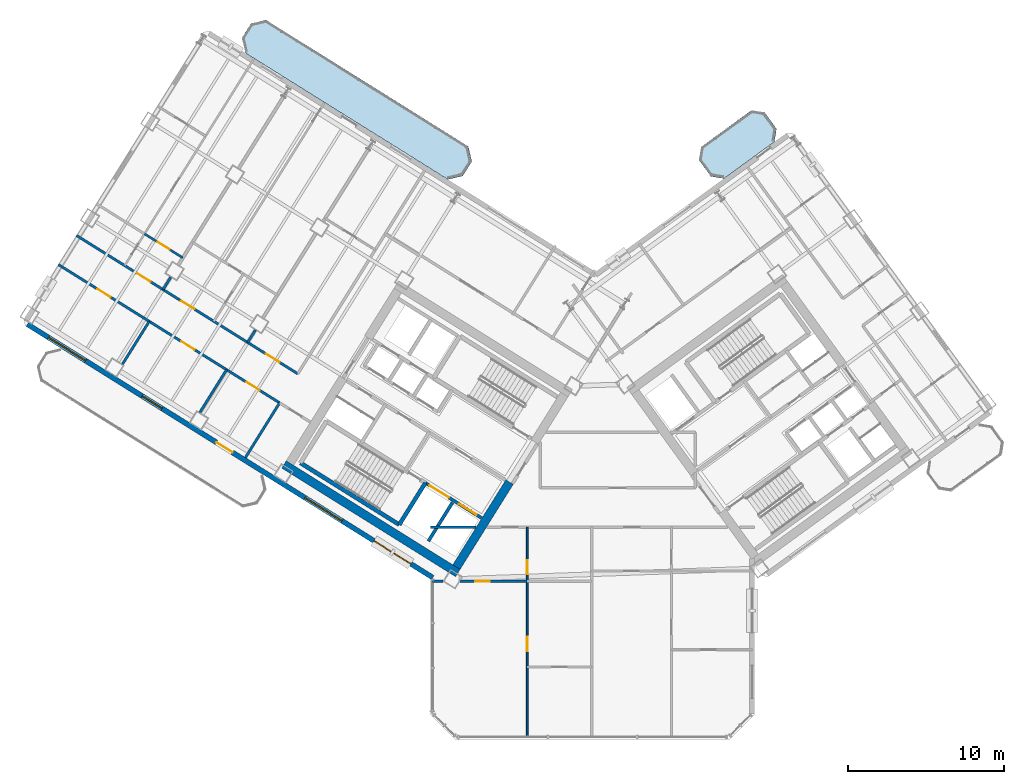
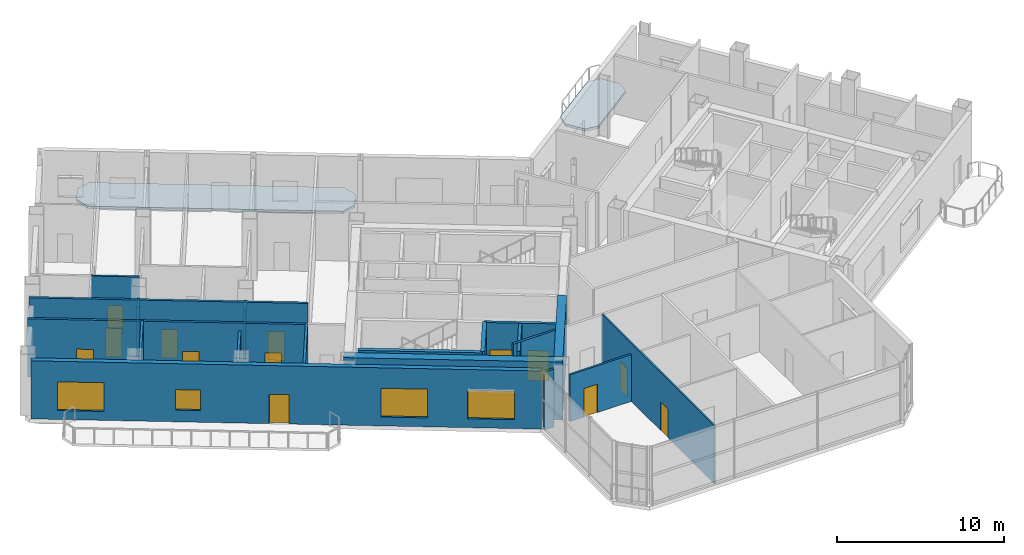
# One storey, part 11 of 21: 19 walls, 13 doors, 4 windows, 2 slabs, 17 openings.
"""IFC4 building model written with IfcOpenShell, lengths in metres."""

from ifc_helpers import new_model, si_unit, direction, frame, frame_2d, origin, place, context, subcontext, project, spatial, polyline, rectangle, outline, extrude, source, transform, mapped, material, layer, layer_set, type_object, element, fill, save


model = new_model("IFC4")

# Units and contexts
model_context = context("Model", 3, precision=1e-05, world=origin(), true_north=direction((0.0, 1.0)))
body_context = subcontext(model_context, "Body", "Model", "MODEL_VIEW")
ifc_project = project(units=[si_unit("LENGTHUNIT", "METRE"), si_unit("AREAUNIT", "SQUARE_METRE"), si_unit("VOLUMEUNIT", "CUBIC_METRE"), si_unit("PLANEANGLEUNIT", "RADIAN"), si_unit("MASSUNIT", "GRAM", prefix="KILO")], contexts=[model_context])

# Site, building, storey
site_placement = place(None, origin())
site = spatial("IfcSite", under=ifc_project, at=site_placement, CompositionType="ELEMENT")
building_placement = place(site_placement, origin())
building = spatial("IfcBuilding", under=site, at=building_placement, Name="Tlacorven Tower", CompositionType="ELEMENT")
storey_placement = place(building_placement, frame((0.0, 0.0, 100.800048828125)))
storey = spatial("IfcBuildingStorey", under=building, at=storey_placement, Name="L25", CompositionType="ELEMENT", Elevation=100.800048828125)

# Slabs
ifc_material_1 = material(Name="Precast concrete C45/55", Category="concrete")
ifc_layer_1 = layer(ifc_material_1, 0.179931640625)
ifc_layer_set_1 = layer_set([ifc_layer_1], Name="Precast concrete C45/55")
slab_type = type_object("IfcSlabType", Name="SL-BAL-180", PredefinedType="USERDEFINED", material=ifc_layer_set_1)
slab_1_placement = place(storey_placement, frame((0.0, 0.0, -0.179931640625)))
element("IfcSlab", 1, at=slab_1_placement, inside=storey, type_object=slab_type, Name="L25 West Wing Balcony Ribbon IN", ObjectType="BALCONY SLAB", PredefinedType="USERDEFINED", context=body_context, shape_type="SweptSolid", body=[
    extrude(outline(polyline([(34.0419921875, 39.835693359375), (21.06689453125, 47.943359375), (20.102294921875, 47.720703125), (19.52197265625, 46.7919921875), (19.744873046875, 45.827392578125), (32.719970703125, 37.7197265625), (33.6845703125, 37.9423828125), (34.2646484375, 38.87109375), (34.0419921875, 39.835693359375)])), origin(), (0.0, 0.0, 1.0), 0.179931640625),
])
slab_2_placement = place(storey_placement, frame((0.0, 0.0, -0.179931640625)))
element("IfcSlab", 2, at=slab_2_placement, inside=storey, type_object=slab_type, Name="L25 East Wing Balcony Ribbon IN", ObjectType="BALCONY SLAB", PredefinedType="USERDEFINED", context=body_context, shape_type="SweptSolid", body=[
    extrude(outline(polyline([(50.433837890625, 37.77880859375), (53.669921875, 40.1298828125), (53.802490234375, 40.968017578125), (53.04150390625, 42.015625), (52.203369140625, 42.1484375), (48.96728515625, 39.79736328125), (48.83447265625, 38.959228515625), (49.595703125, 37.91162109375), (50.433837890625, 37.77880859375)])), origin(), (0.0, 0.0, 1.0), 0.179931640625),
])

# Walls
ifc_material_2 = material(Name="Concrete C60/75", Category="concrete")
ifc_layer_2 = layer(ifc_material_2, 0.550048828125)
ifc_layer_set_2 = layer_set([ifc_layer_2], Name="Concrete C60/75")
wall_type_1 = type_object("IfcWallType", Name="WL-COR-550", PredefinedType="SHEAR", material=ifc_layer_set_2)
wall_1_placement = place(storey_placement, frame((33.3662109375, 12.4765625, 0.0), z_axis=(0.0, 0.0, 1.0), x_axis=(-0.848047359947, 0.529920442413, 0.0)))
element("IfcWall", 3, at=wall_1_placement, inside=storey, type_object=wall_type_1, Name="L25 W core shear wall S2", PredefinedType="SHEAR", context=body_context, shape_type="SweptSolid", body=[
    extrude(rectangle(XDim=13.139892578125, YDim=0.550048828125, at=frame_2d((6.56982421875, 0.0))), origin(), (0.0, 0.0, 1.0), 4.25),
])
wall_2_placement = place(storey_placement, frame((36.683349609375, 18.30419921875, 0.0), z_axis=(0.0, 0.0, 1.0), x_axis=(-0.529896466841, -0.848062341122, 0.0)))
element("IfcWall", 4, at=wall_2_placement, inside=storey, type_object=wall_type_1, Name="L25 W core end wall E1.2", PredefinedType="SHEAR", context=body_context, shape_type="SweptSolid", body=[
    extrude(rectangle(XDim=6.4248046875, YDim=0.550048828125, at=frame_2d((3.21240234375, 0.0))), origin(), (0.0, 0.0, 1.0), 4.25),
])
ifc_material_3 = material(Name="Gypsum plasterboard acoustic partition", Category="gypsum")
ifc_layer_3 = layer(ifc_material_3, 0.159912109375)
ifc_layer_set_3 = layer_set([ifc_layer_3], Name="Gypsum plasterboard acoustic partition")
wall_type_2 = type_object("IfcWallType", Name="WL-DEM-160", PredefinedType="PARTITIONING", material=ifc_layer_set_3)
wall_3_placement = place(storey_placement, frame((21.9384765625, 23.390625, 0.0), z_axis=(0.0, 0.0, 1.0), x_axis=(-0.529940769753, -0.848034657637, 0.0)))
element("IfcWall", 5, at=wall_3_placement, inside=storey, type_object=wall_type_2, Name="L25 partition 50", PredefinedType="PARTITIONING", context=body_context, shape_type="SweptSolid", body=[
    extrude(rectangle(XDim=4.14990234375, YDim=0.159912109375, at=frame_2d((2.074951171875, 0.0))), origin(), (0.0, 0.0, 1.0), 4.239990234375),
])

# Wall, openings, doors
wall_4_placement = place(storey_placement, frame((23.104248046875, 25.25634765625, 0.0), z_axis=(0.0, 0.0, 1.0), x_axis=(-0.848041752158, 0.529929416617, 0.0)))
wall_4 = element("IfcWall", 6, at=wall_4_placement, inside=storey, type_object=wall_type_2, Name="L25 Wing W Corridor South Wall", PredefinedType="PARTITIONING", context=body_context, shape_type="SweptSolid", body=[
    extrude(rectangle(XDim=16.72998046875, YDim=0.159912109375, at=frame_2d((8.364990234375, 0.0))), origin(), (0.0, 0.0, 1.0), 4.239990234375),
])
opening_1_placement = place(wall_4_placement, frame((1.39501953125, 0.0, 0.0)))
opening_1 = element("IfcOpeningElement", 7, at=opening_1_placement, cuts=wall_4, Name="Opening D11", PredefinedType="OPENING", context=body_context, shape_type="SweptSolid", body=[
    extrude(rectangle(XDim=1.0, YDim=2.10009765625, at=frame_2d((0.5, 1.050048828125))), frame((0.0, 0.08984375, 0.0), z_axis=(0.0, -1.0, 0.0), x_axis=(1.0, 0.0, 0.0)), (0.0, 0.0, 1.0), 0.179931640625),
])
opening_2_placement = place(wall_4_placement, frame((7.820068359375, 0.0, 0.0)))
opening_2 = element("IfcOpeningElement", 8, at=opening_2_placement, cuts=wall_4, Name="Opening D11", PredefinedType="OPENING", context=body_context, shape_type="SweptSolid", body=[
    extrude(rectangle(XDim=1.0, YDim=2.10009765625, at=frame_2d((0.5, 1.050048828125))), frame((0.0, 0.08984375, 0.0), z_axis=(0.0, -1.0, 0.0), x_axis=(1.0, 0.0, 0.0)), (0.0, 0.0, 1.0), 0.179931640625),
])
opening_3_placement = place(wall_4_placement, frame((11.139892578125, 0.0, 0.0)))
opening_3 = element("IfcOpeningElement", 9, at=opening_3_placement, cuts=wall_4, Name="Opening D11", PredefinedType="OPENING", context=body_context, shape_type="SweptSolid", body=[
    extrude(rectangle(XDim=1.0, YDim=2.10009765625, at=frame_2d((0.5, 1.050048828125))), frame((0.0, 0.08984375, 0.0), z_axis=(0.0, -1.0, 0.0), x_axis=(1.0, 0.0, 0.0)), (0.0, 0.0, 1.0), 0.179931640625),
])
ifc_material_4 = material(Name="Fire-rated steel door assembly", Category="steel")
door_type_1 = type_object("IfcDoorType", Name="DR-FLT-FD60-1000", OperationType="NOTDEFINED", PredefinedType="DOOR", material=ifc_material_4)
shared_shape_1 = source(origin(), body_context, "Body", "SweptSolid", [
    extrude(rectangle(XDim=1.0, YDim=2.10009765625, at=frame_2d((0.5, 1.050048828125))), frame((0.0, 0.02490234375, 0.0), z_axis=(0.0, -1.0, 0.0), x_axis=(1.0, 0.0, 0.0)), (0.0, 0.0, 1.0), 0.050048828125),
])
door_1_placement = place(opening_1_placement, origin())
door_1 = element("IfcDoor", 10, at=door_1_placement, inside=storey, type_object=door_type_1, Name="L25 door 030", OperationType="SINGLE_SWING_LEFT", OverallHeight=2.10009765625, OverallWidth=1.0, PredefinedType="DOOR", context=body_context, shape_type="MappedRepresentation", body=[
    mapped(shared_shape_1, transform((0.0, 0.0, 0.0), scale=1.0)),
])
fill(opening_1, door_1)
door_2_placement = place(opening_2_placement, origin())
door_2 = element("IfcDoor", 11, at=door_2_placement, inside=storey, type_object=door_type_1, Name="L25 door 033", OperationType="SINGLE_SWING_RIGHT", OverallHeight=2.10009765625, OverallWidth=1.0, PredefinedType="DOOR", context=body_context, shape_type="MappedRepresentation", body=[
    mapped(shared_shape_1, transform((0.0, 0.0, 0.0), scale=1.0)),
])
fill(opening_2, door_2)
door_3_placement = place(opening_3_placement, origin())
door_3 = element("IfcDoor", 12, at=door_3_placement, inside=storey, type_object=door_type_1, Name="L25 door 037", OperationType="SINGLE_SWING_RIGHT", OverallHeight=2.10009765625, OverallWidth=1.0, PredefinedType="DOOR", context=body_context, shape_type="MappedRepresentation", body=[
    mapped(shared_shape_1, transform((0.0, 0.0, 0.0), scale=1.0)),
])
fill(opening_3, door_3)

wall_5_placement = place(storey_placement, frame((21.9384765625, 23.390625, 0.0), z_axis=(0.0, 0.0, 1.0), x_axis=(-0.848045850158, 0.529922858565, 0.0)))
wall_5 = element("IfcWall", 13, at=wall_5_placement, inside=storey, type_object=wall_type_2, Name="L25 Wing W Corridor North Wall", PredefinedType="PARTITIONING", context=body_context, shape_type="SweptSolid", body=[
    extrude(rectangle(XDim=16.730224609375, YDim=0.159912109375, at=frame_2d((8.365234375, 0.0))), origin(), (0.0, 0.0, 1.0), 4.239990234375),
])
opening_4_placement = place(wall_5_placement, frame((1.5048828125, 0.0, 0.0)))
opening_4 = element("IfcOpeningElement", 14, at=opening_4_placement, cuts=wall_5, Name="Opening D11", PredefinedType="OPENING", context=body_context, shape_type="SweptSolid", body=[
    extrude(rectangle(XDim=1.0, YDim=2.10009765625, at=frame_2d((0.5, 1.050048828125))), frame((0.0, 0.08984375, 0.0), z_axis=(0.0, -1.0, 0.0), x_axis=(1.0, 0.0, 0.0)), (0.0, 0.0, 1.0), 0.179931640625),
])
opening_5_placement = place(wall_5_placement, frame((6.4345703125, 0.0, 0.0)))
opening_5 = element("IfcOpeningElement", 15, at=opening_5_placement, cuts=wall_5, Name="Opening D11", PredefinedType="OPENING", context=body_context, shape_type="SweptSolid", body=[
    extrude(rectangle(XDim=1.0, YDim=2.10009765625, at=frame_2d((0.5, 1.050048828125))), frame((0.0, 0.08984375, 0.0), z_axis=(0.0, -1.0, 0.0), x_axis=(1.0, 0.0, 0.0)), (0.0, 0.0, 1.0), 0.179931640625),
])
opening_6_placement = place(wall_5_placement, frame((12.784423828125, 0.0, 0.0)))
opening_6 = element("IfcOpeningElement", 16, at=opening_6_placement, cuts=wall_5, Name="Opening D11", PredefinedType="OPENING", context=body_context, shape_type="SweptSolid", body=[
    extrude(rectangle(XDim=1.0, YDim=2.10009765625, at=frame_2d((0.5, 1.050048828125))), frame((0.0, 0.08984375, 0.0), z_axis=(0.0, -1.0, 0.0), x_axis=(1.0, 0.0, 0.0)), (0.0, 0.0, 1.0), 0.179931640625),
])
door_4_placement = place(opening_4_placement, origin())
door_4 = element("IfcDoor", 17, at=door_4_placement, inside=storey, type_object=door_type_1, Name="L25 door 027", OperationType="SINGLE_SWING_RIGHT", OverallHeight=2.10009765625, OverallWidth=1.0, PredefinedType="DOOR", context=body_context, shape_type="MappedRepresentation", body=[
    mapped(shared_shape_1, transform((0.0, 0.0, 0.0), scale=1.0)),
])
fill(opening_4, door_4)
door_5_placement = place(opening_5_placement, origin())
door_5 = element("IfcDoor", 18, at=door_5_placement, inside=storey, type_object=door_type_1, Name="L25 door 028", OperationType="SINGLE_SWING_LEFT", OverallHeight=2.10009765625, OverallWidth=1.0, PredefinedType="DOOR", context=body_context, shape_type="MappedRepresentation", body=[
    mapped(shared_shape_1, transform((0.0, 0.0, 0.0), scale=1.0)),
])
fill(opening_5, door_5)
door_6_placement = place(opening_6_placement, origin())
door_6 = element("IfcDoor", 19, at=door_6_placement, inside=storey, type_object=door_type_1, Name="L25 door 029", OperationType="SINGLE_SWING_RIGHT", OverallHeight=2.10009765625, OverallWidth=1.0, PredefinedType="DOOR", context=body_context, shape_type="MappedRepresentation", body=[
    mapped(shared_shape_1, transform((0.0, 0.0, 0.0), scale=1.0)),
])
fill(opening_6, door_6)

# Walls
wall_6_placement = place(storey_placement, frame((18.537841796875, 25.515625, 0.0), z_axis=(0.0, 0.0, 1.0), x_axis=(-0.529978607573, -0.848011011435, 0.0)))
element("IfcWall", 20, at=wall_6_placement, inside=storey, type_object=wall_type_2, Name="L25 partition 54", PredefinedType="PARTITIONING", context=body_context, shape_type="SweptSolid", body=[
    extrude(rectangle(XDim=3.238037109375, YDim=0.159912109375, at=frame_2d((1.619140625, 0.0))), origin(), (0.0, 0.0, 1.0), 3.675048828125),
])
wall_7_placement = place(storey_placement, frame((13.577392578125, 28.615234375, 0.0), z_axis=(0.0, 0.0, 1.0), x_axis=(-0.529890499457, -0.848066069705, 0.0)))
element("IfcWall", 21, at=wall_7_placement, inside=storey, type_object=wall_type_2, Name="L25 partition 55", PredefinedType="PARTITIONING", context=body_context, shape_type="SweptSolid", body=[
    extrude(rectangle(XDim=3.238037109375, YDim=0.159912109375, at=frame_2d((1.619140625, 0.0))), origin(), (0.0, 0.0, 1.0), 4.239990234375),
])
for number, where, z_axis, x_axis, name in (
    (22, (20.38720703125, 28.060302734375, 0.0), (0.0, 0.0, 1.0), (-0.529952145338, -0.848027548876, 0.0), "L25 WS Demising Wall 1"),
    (23, (14.959716796875, 31.45166015625, 0.0), (0.0, 0.0, 1.0), (-0.529952145338, -0.848027548876, 0.0), "L25 WS Demising Wall 2"),
):
    element("IfcWall", number, at=place(storey_placement, frame(where, z_axis=z_axis, x_axis=x_axis)), inside=storey, type_object=wall_type_2, Name=name, PredefinedType="PARTITIONING", context=body_context, shape_type="SweptSolid", body=[
        extrude(rectangle(XDim=0.93798828125, YDim=0.159912109375, at=frame_2d((0.468994140625, 0.0))), origin(), (0.0, 0.0, 1.0), 3.675048828125),
    ])
wall_8_placement = place(storey_placement, frame((31.60009765625, 15.419921875, 0.0), z_axis=(0.0, 0.0, 1.0), x_axis=(1.0, 0.0, 0.0)))
element("IfcWall", 24, at=wall_8_placement, inside=storey, type_object=wall_type_2, Name="L25 Knuckle Corridor South Wall", PredefinedType="PARTITIONING", context=body_context, shape_type="SweptSolid", body=[
    extrude(rectangle(XDim=2.925048828125, YDim=0.159912109375, at=frame_2d((1.46240234375, 0.0))), origin(), (0.0, 0.0, 1.0), 4.239990234375),
])

# Wall, openings, door, windows
ifc_layer_4 = layer(ifc_material_1, 0.320068359375)
ifc_layer_set_4 = layer_set([ifc_layer_4], Name="Precast concrete C45/55")
wall_type_3 = type_object("IfcWallType", Name="WL-EXT-320", PredefinedType="STANDARD", material=ifc_layer_set_4)
wall_9_placement = place(storey_placement, frame((31.760009765625, 12.18310546875, 0.0), z_axis=(0.0, 0.0, 1.0), x_axis=(-0.848047074256, 0.529920899612, 0.0)))
wall_9 = element("IfcWall", 25, at=wall_9_placement, inside=storey, type_object=wall_type_3, Name="L25 Masonry-Frame Recessed Facade Wall 1", PredefinedType="STANDARD", context=body_context, shape_type="SweptSolid", body=[
    extrude(rectangle(XDim=30.652099609375, YDim=0.320068359375, at=frame_2d((15.326171875, 0.0))), origin(), (0.0, 0.0, 1.0), 4.25),
])
opening_7_placement = place(wall_9_placement, frame((15.1533203125, 0.0, 0.0)))
opening_7 = element("IfcOpeningElement", 26, at=opening_7_placement, cuts=wall_9, Name="Opening D05", PredefinedType="OPENING", context=body_context, shape_type="SweptSolid", body=[
    extrude(rectangle(XDim=1.199951171875, YDim=2.14990234375, at=frame_2d((0.60009765625, 1.074951171875))), frame((0.0, 0.169921875, 0.0), z_axis=(0.0, -1.0, 0.0), x_axis=(1.0, 0.0, 0.0)), (0.0, 0.0, 1.0), 0.340087890625),
])
opening_8_placement = place(wall_9_placement, frame((1.652099609375, 0.0, 0.64990234375)))
opening_8 = element("IfcOpeningElement", 27, at=opening_8_placement, cuts=wall_9, Name="Opening WN13", PredefinedType="OPENING", context=body_context, shape_type="SweptSolid", body=[
    extrude(rectangle(XDim=2.800048828125, YDim=2.10009765625, at=frame_2d((1.39990234375, 1.050048828125))), frame((0.0, 0.169921875, 0.0), z_axis=(0.0, -1.0, 0.0), x_axis=(1.0, 0.0, 0.0)), (0.0, 0.0, 1.0), 0.340087890625),
])
opening_9_placement = place(wall_9_placement, frame((6.856201171875, 0.0, 0.64990234375)))
opening_9 = element("IfcOpeningElement", 28, at=opening_9_placement, cuts=wall_9, Name="Opening WN13", PredefinedType="OPENING", context=body_context, shape_type="SweptSolid", body=[
    extrude(rectangle(XDim=2.800048828125, YDim=2.10009765625, at=frame_2d((1.39990234375, 1.050048828125))), frame((0.0, 0.169921875, 0.0), z_axis=(0.0, -1.0, 0.0), x_axis=(1.0, 0.0, 0.0)), (0.0, 0.0, 1.0), 0.340087890625),
])
opening_10_placement = place(wall_9_placement, frame((20.477783203125, 0.0, 0.85009765625)))
opening_10 = element("IfcOpeningElement", 29, at=opening_10_placement, cuts=wall_9, Name="Opening WN02", PredefinedType="OPENING", context=body_context, shape_type="SweptSolid", body=[
    extrude(rectangle(XDim=1.5, YDim=1.5, at=frame_2d((0.75, 0.75))), frame((0.0, 0.169921875, 0.0), z_axis=(0.0, -1.0, 0.0), x_axis=(1.0, 0.0, 0.0)), (0.0, 0.0, 1.0), 0.340087890625),
])
opening_11_placement = place(wall_9_placement, frame((26.25830078125, 0.0, 0.64990234375)))
opening_11 = element("IfcOpeningElement", 30, at=opening_11_placement, cuts=wall_9, Name="Opening WN13", PredefinedType="OPENING", context=body_context, shape_type="SweptSolid", body=[
    extrude(rectangle(XDim=2.800048828125, YDim=2.10009765625, at=frame_2d((1.39990234375, 1.050048828125))), frame((0.0, 0.169921875, 0.0), z_axis=(0.0, -1.0, 0.0), x_axis=(1.0, 0.0, 0.0)), (0.0, 0.0, 1.0), 0.340087890625),
])
ifc_material_5 = material(Name="Powder-coated aluminium and timber door", Category="wood")
door_type_2 = type_object("IfcDoorType", Name="DR-EXT-BALC-1200", OperationType="NOTDEFINED", PredefinedType="DOOR", material=ifc_material_5)
shared_shape_2 = source(origin(), body_context, "Body", "SweptSolid", [
    extrude(rectangle(XDim=1.199951171875, YDim=2.14990234375, at=frame_2d((0.60009765625, 1.074951171875))), frame((0.0, 0.02490234375, 0.0), z_axis=(0.0, -1.0, 0.0), x_axis=(1.0, 0.0, 0.0)), (0.0, 0.0, 1.0), 0.050048828125),
])
door_7_placement = place(opening_7_placement, origin())
door_7 = element("IfcDoor", 31, at=door_7_placement, inside=storey, type_object=door_type_2, Name="L25 Outdoor Access Door BAL-L25-W-OUT", OperationType="SINGLE_SWING_LEFT", OverallHeight=2.14990234375, OverallWidth=1.199951171875, PredefinedType="DOOR", context=body_context, shape_type="MappedRepresentation", body=[
    mapped(shared_shape_2, transform((0.0, 0.0, 0.0), scale=1.0)),
])
fill(opening_7, door_7)
ifc_material_6 = material(Name="Dark solar low-E double glazing in anodised aluminium frame", Category="aluminium")
window_type_1 = type_object("IfcWindowType", Name="WN-APT-1500X1650", PartitioningType="SINGLE_PANEL", PredefinedType="WINDOW", material=ifc_material_6)
shared_shape_3 = source(origin(), body_context, "Body", "SweptSolid", [
    extrude(rectangle(XDim=1.5, YDim=1.5, at=frame_2d((0.75, 0.75))), frame((0.0, 0.030029296875, 0.0), z_axis=(0.0, -1.0, 0.0), x_axis=(1.0, 0.0, 0.0)), (0.0, 0.0, 1.0), 0.06005859375),
])
window_1_placement = place(opening_10_placement, origin())
window_1 = element("IfcWindow", 32, at=window_1_placement, inside=storey, type_object=window_type_1, Name="L25 Recessed Masonry-Frame Window L25-01.3", OverallHeight=1.5, OverallWidth=1.5, PartitioningType="SINGLE_PANEL", PredefinedType="WINDOW", context=body_context, shape_type="MappedRepresentation", body=[
    mapped(shared_shape_3, transform((0.0, 0.0, 0.0), scale=1.0)),
])
fill(opening_10, window_1)
window_type_2 = type_object("IfcWindowType", Name="WN-SKY-2800X2400", PartitioningType="SINGLE_PANEL", PredefinedType="WINDOW", material=ifc_material_6)
shared_shape_4 = source(origin(), body_context, "Body", "SweptSolid", [
    extrude(rectangle(XDim=2.800048828125, YDim=2.10009765625, at=frame_2d((1.39990234375, 1.050048828125))), frame((0.0, 0.030029296875, 0.0), z_axis=(0.0, -1.0, 0.0), x_axis=(1.0, 0.0, 0.0)), (0.0, 0.0, 1.0), 0.06005859375),
])
window_2_placement = place(opening_8_placement, origin())
window_2 = element("IfcWindow", 33, at=window_2_placement, inside=storey, type_object=window_type_2, Name="L25 Recessed Masonry-Frame Window L25-01.1", OverallHeight=2.10009765625, OverallWidth=2.800048828125, PartitioningType="SINGLE_PANEL", PredefinedType="WINDOW", context=body_context, shape_type="MappedRepresentation", body=[
    mapped(shared_shape_4, transform((0.0, 0.0, 0.0), scale=1.0)),
])
fill(opening_8, window_2)
window_3_placement = place(opening_9_placement, origin())
window_3 = element("IfcWindow", 34, at=window_3_placement, inside=storey, type_object=window_type_2, Name="L25 Recessed Masonry-Frame Window L25-01.2", OverallHeight=2.10009765625, OverallWidth=2.800048828125, PartitioningType="SINGLE_PANEL", PredefinedType="WINDOW", context=body_context, shape_type="MappedRepresentation", body=[
    mapped(shared_shape_4, transform((0.0, 0.0, 0.0), scale=1.0)),
])
fill(opening_9, window_3)
window_4_placement = place(opening_11_placement, origin())
window_4 = element("IfcWindow", 35, at=window_4_placement, inside=storey, type_object=window_type_2, Name="L25 Recessed Masonry-Frame Window L25-01.4", OverallHeight=2.10009765625, OverallWidth=2.800048828125, PartitioningType="SINGLE_PANEL", PredefinedType="WINDOW", context=body_context, shape_type="MappedRepresentation", body=[
    mapped(shared_shape_4, transform((0.0, 0.0, 0.0), scale=1.0)),
])
fill(opening_11, window_4)

# Wall, openings, doors
ifc_material_7 = material(Name="Gypsum plasterboard partition", Category="gypsum")
ifc_layer_5 = layer(ifc_material_7, 0.110107421875)
ifc_layer_set_5 = layer_set([ifc_layer_5], Name="Gypsum plasterboard partition")
wall_type_4 = type_object("IfcWallType", Name="WL-INT-110", PredefinedType="PARTITIONING", material=ifc_layer_set_5)
wall_10_placement = place(storey_placement, frame((37.81298828125, 1.9599609375, 0.0), z_axis=(0.0, 0.0, 1.0), x_axis=(0.0, 1.0, 0.0)))
wall_10 = element("IfcWall", 36, at=wall_10_placement, inside=storey, type_object=wall_type_4, Name="L25 partition 80", PredefinedType="PARTITIONING", context=body_context, shape_type="SweptSolid", body=[
    extrude(rectangle(XDim=13.4599609375, YDim=0.110107421875, at=frame_2d((6.72998046875, 0.0))), origin(), (0.0, 0.0, 1.0), 4.239990234375),
])
opening_12_placement = place(wall_10_placement, frame((5.5, 0.0, 0.0)))
opening_12 = element("IfcOpeningElement", 37, at=opening_12_placement, cuts=wall_10, Name="Opening D12", PredefinedType="OPENING", context=body_context, shape_type="SweptSolid", body=[
    extrude(rectangle(XDim=0.919921875, YDim=2.080078125, at=frame_2d((0.4599609375, 1.0400390625))), frame((0.0, 0.06494140625, 0.0), z_axis=(0.0, -1.0, 0.0), x_axis=(1.0, 0.0, 0.0)), (0.0, 0.0, 1.0), 0.130126953125),
])
opening_13_placement = place(wall_10_placement, frame((10.449951171875, 0.0, 0.0)))
opening_13 = element("IfcOpeningElement", 38, at=opening_13_placement, cuts=wall_10, Name="Opening D13", PredefinedType="OPENING", context=body_context, shape_type="SweptSolid", body=[
    extrude(rectangle(XDim=0.8798828125, YDim=2.080078125, at=frame_2d((0.43994140625, 1.0400390625))), frame((0.0, 0.06494140625, 0.0), z_axis=(0.0, -1.0, 0.0), x_axis=(1.0, 0.0, 0.0)), (0.0, 0.0, 1.0), 0.130126953125),
])
door_type_3 = type_object("IfcDoorType", Name="DR-INT-WET-0880", OperationType="NOTDEFINED", PredefinedType="DOOR", material=ifc_material_5)
shared_shape_5 = source(origin(), body_context, "Body", "SweptSolid", [
    extrude(rectangle(XDim=0.8798828125, YDim=2.080078125, at=frame_2d((0.43994140625, 1.0400390625))), frame((0.0, 0.02490234375, 0.0), z_axis=(0.0, -1.0, 0.0), x_axis=(1.0, 0.0, 0.0)), (0.0, 0.0, 1.0), 0.050048828125),
])
door_8_placement = place(opening_13_placement, origin())
door_8 = element("IfcDoor", 39, at=door_8_placement, inside=storey, type_object=door_type_3, Name="L25 door 052", OperationType="SINGLE_SWING_RIGHT", OverallHeight=2.080078125, OverallWidth=0.8798828125, PredefinedType="DOOR", context=body_context, shape_type="MappedRepresentation", body=[
    mapped(shared_shape_5, transform((0.0, 0.0, 0.0), scale=1.0)),
])
fill(opening_13, door_8)
door_type_4 = type_object("IfcDoorType", Name="DR-INT-ROOM-0920", OperationType="NOTDEFINED", PredefinedType="DOOR", material=ifc_material_5)
shared_shape_6 = source(origin(), body_context, "Body", "SweptSolid", [
    extrude(rectangle(XDim=0.919921875, YDim=2.080078125, at=frame_2d((0.4599609375, 1.0400390625))), frame((0.0, 0.02490234375, 0.0), z_axis=(0.0, -1.0, 0.0), x_axis=(1.0, 0.0, 0.0)), (0.0, 0.0, 1.0), 0.050048828125),
])
door_9_placement = place(opening_12_placement, origin())
door_9 = element("IfcDoor", 40, at=door_9_placement, inside=storey, type_object=door_type_4, Name="L25 door 048", OperationType="SINGLE_SWING_RIGHT", OverallHeight=2.080078125, OverallWidth=0.919921875, PredefinedType="DOOR", context=body_context, shape_type="MappedRepresentation", body=[
    mapped(shared_shape_6, transform((0.0, 0.0, 0.0), scale=1.0)),
])
fill(opening_12, door_9)

# Wall, opening, door
ifc_material_8 = material(Name="Moisture-resistant gypsum plumbing wall", Category="gypsum")
ifc_layer_6 = layer(ifc_material_8, 0.139892578125)
ifc_layer_set_6 = layer_set([ifc_layer_6], Name="Moisture-resistant gypsum plumbing wall")
wall_type_5 = type_object("IfcWallType", Name="WL-PLM-140", PredefinedType="PLUMBINGWALL", material=ifc_layer_set_6)
wall_11_placement = place(storey_placement, frame((15.734375, 32.691650390625, 0.0), z_axis=(0.0, 0.0, 1.0), x_axis=(-0.848059786386, 0.529900555496, 0.0)))
wall_11 = element("IfcWall", 41, at=wall_11_placement, inside=storey, type_object=wall_type_5, Name="L25 partition 64", PredefinedType="PLUMBINGWALL", context=body_context, shape_type="SweptSolid", body=[
    extrude(rectangle(XDim=2.89990234375, YDim=0.139892578125, at=frame_2d((1.449951171875, 0.0))), origin(), (0.0, 0.0, 1.0), 4.239990234375),
])
opening_14_placement = place(wall_11_placement, frame((0.989990234375, 0.0, 0.0)))
opening_14 = element("IfcOpeningElement", 42, at=opening_14_placement, cuts=wall_11, Name="Opening D12", PredefinedType="OPENING", context=body_context, shape_type="SweptSolid", body=[
    extrude(rectangle(XDim=0.919921875, YDim=2.080078125, at=frame_2d((0.4599609375, 1.0400390625))), frame((0.0, 0.080078125, 0.0), z_axis=(0.0, -1.0, 0.0), x_axis=(1.0, 0.0, 0.0)), (0.0, 0.0, 1.0), 0.159912109375),
])
door_10_placement = place(opening_14_placement, origin())
door_10 = element("IfcDoor", 43, at=door_10_placement, inside=storey, type_object=door_type_4, Name="L25 door 038", OperationType="SINGLE_SWING_RIGHT", OverallHeight=2.080078125, OverallWidth=0.919921875, PredefinedType="DOOR", context=body_context, shape_type="MappedRepresentation", body=[
    mapped(shared_shape_6, transform((0.0, 0.0, 0.0), scale=1.0)),
])
fill(opening_14, door_10)

# Wall
wall_12_placement = place(storey_placement, frame((31.739990234375, 11.949951171875, 0.0), z_axis=(0.0, 0.0, 1.0), x_axis=(1.0, 0.0, 0.0)))
element("IfcWall", 44, at=wall_12_placement, inside=storey, type_object=wall_type_5, Name="L25 partition 81", PredefinedType="PLUMBINGWALL", context=body_context, shape_type="SweptSolid", body=[
    extrude(rectangle(XDim=0.67578125, YDim=0.139892578125, at=frame_2d((0.337890625, 0.0))), origin(), (0.0, 0.0, 1.0), 4.239990234375),
])

# Wall, opening, door
wall_13_placement = place(storey_placement, frame((33.50537109375, 11.949951171875, 0.0), z_axis=(0.0, 0.0, 1.0), x_axis=(1.0, 0.0, 0.0)))
wall_13 = element("IfcWall", 45, at=wall_13_placement, inside=storey, type_object=wall_type_5, Name="L25 partition 81", PredefinedType="PLUMBINGWALL", context=body_context, shape_type="SweptSolid", body=[
    extrude(rectangle(XDim=4.3076171875, YDim=0.139892578125, at=frame_2d((2.15380859375, 0.0))), origin(), (0.0, 0.0, 1.0), 3.425048828125),
])
opening_15_placement = place(wall_13_placement, frame((0.9912109375, 0.0, 0.0)))
opening_15 = element("IfcOpeningElement", 46, at=opening_15_placement, cuts=wall_13, Name="Opening D12", PredefinedType="OPENING", context=body_context, shape_type="SweptSolid", body=[
    extrude(rectangle(XDim=0.919921875, YDim=2.080078125, at=frame_2d((0.4599609375, 1.0400390625))), frame((0.0, 0.080078125, 0.0), z_axis=(0.0, -1.0, 0.0), x_axis=(1.0, 0.0, 0.0)), (0.0, 0.0, 1.0), 0.159912109375),
])
door_11_placement = place(opening_15_placement, frame((0.919921875, 0.0, 0.0), z_axis=(0.0, 0.0, 1.0), x_axis=(-1.0, 0.0, 0.0)))
door_11 = element("IfcDoor", 47, at=door_11_placement, inside=storey, type_object=door_type_4, Name="L25 door 051", OperationType="SINGLE_SWING_LEFT", OverallHeight=2.080078125, OverallWidth=0.919921875, PredefinedType="DOOR", context=body_context, shape_type="MappedRepresentation", body=[
    mapped(shared_shape_6, transform((0.0, 0.0, 0.0), scale=1.0)),
])
fill(opening_15, door_11)

# Wall, openings, doors
ifc_material_9 = material(Name="Concrete C40/50", Category="concrete")
ifc_layer_7 = layer(ifc_material_9, 0.199951171875)
ifc_layer_set_7 = layer_set([ifc_layer_7], Name="Concrete C40/50")
wall_type_6 = type_object("IfcWallType", Name="WL-SHF-200", PredefinedType="STANDARD", material=ifc_layer_set_7)
wall_14_placement = place(storey_placement, frame((34.890625, 16.0048828125, 0.0), z_axis=(0.0, 0.0, 1.0), x_axis=(-0.848062873452, 0.529895614884, 0.0)))
wall_14 = element("IfcWall", 48, at=wall_14_placement, inside=storey, type_object=wall_type_6, Name="L25 Core W Firefighting Lift Shaft Front Wall", PredefinedType="STANDARD", context=body_context, shape_type="SweptSolid", body=[
    extrude(rectangle(XDim=4.248046875, YDim=0.199951171875, at=frame_2d((2.1240234375, 0.0))), origin(), (0.0, 0.0, 1.0), 4.239990234375),
])
opening_16_placement = place(wall_14_placement, frame((0.39794921875, 0.0, 0.0)))
opening_16 = element("IfcOpeningElement", 49, at=opening_16_placement, cuts=wall_14, Name="Opening LD03", PredefinedType="OPENING", context=body_context, shape_type="SweptSolid", body=[
    extrude(rectangle(XDim=1.300048828125, YDim=2.199951171875, at=frame_2d((0.64990234375, 1.10009765625))), frame((0.0, 0.10986328125, 0.0), z_axis=(0.0, -1.0, 0.0), x_axis=(1.0, 0.0, 0.0)), (0.0, 0.0, 1.0), 0.219970703125),
])
opening_17_placement = place(wall_14_placement, frame((2.472900390625, 0.0, 0.0)))
opening_17 = element("IfcOpeningElement", 50, at=opening_17_placement, cuts=wall_14, Name="Opening LD04", PredefinedType="OPENING", context=body_context, shape_type="SweptSolid", body=[
    extrude(rectangle(XDim=1.449951171875, YDim=2.25, at=frame_2d((0.72509765625, 1.125))), frame((0.0, 0.10986328125, 0.0), z_axis=(0.0, -1.0, 0.0), x_axis=(1.0, 0.0, 0.0)), (0.0, 0.0, 1.0), 0.219970703125),
])
door_type_5 = type_object("IfcDoorType", Name="DR-LFT-SLID-1300", OperationType="DOUBLE_DOOR_SLIDING", PredefinedType="DOOR", material=ifc_material_4)
shared_shape_7 = source(origin(), body_context, "Body", "SweptSolid", [
    extrude(rectangle(XDim=1.300048828125, YDim=2.199951171875, at=frame_2d((0.64990234375, 1.10009765625))), frame((0.0, 0.02490234375, 0.0), z_axis=(0.0, -1.0, 0.0), x_axis=(1.0, 0.0, 0.0)), (0.0, 0.0, 1.0), 0.050048828125),
])
door_12_placement = place(opening_16_placement, origin())
door_12 = element("IfcDoor", 51, at=door_12_placement, inside=storey, type_object=door_type_5, Name="L25 Lift FFL-W1 Sliding Landing Door", OperationType="DOUBLE_DOOR_SLIDING", OverallHeight=2.199951171875, OverallWidth=1.300048828125, PredefinedType="DOOR", context=body_context, shape_type="MappedRepresentation", body=[
    mapped(shared_shape_7, transform((0.0, 0.0, 0.0), scale=1.0)),
])
fill(opening_16, door_12)
door_type_6 = type_object("IfcDoorType", Name="DR-LFT-SLID-1450", OperationType="DOUBLE_DOOR_SLIDING", PredefinedType="DOOR", material=ifc_material_4)
shared_shape_8 = source(origin(), body_context, "Body", "SweptSolid", [
    extrude(rectangle(XDim=1.449951171875, YDim=2.25, at=frame_2d((0.72509765625, 1.125))), frame((0.0, 0.02490234375, 0.0), z_axis=(0.0, -1.0, 0.0), x_axis=(1.0, 0.0, 0.0)), (0.0, 0.0, 1.0), 0.050048828125),
])
door_13_placement = place(opening_17_placement, origin())
door_13 = element("IfcDoor", 52, at=door_13_placement, inside=storey, type_object=door_type_6, Name="L25 Lift SVL-W1 Sliding Landing Door", OperationType="DOUBLE_DOOR_SLIDING", OverallHeight=2.25, OverallWidth=1.449951171875, PredefinedType="DOOR", context=body_context, shape_type="MappedRepresentation", body=[
    mapped(shared_shape_8, transform((0.0, 0.0, 0.0), scale=1.0)),
])
fill(opening_17, door_13)

# Walls
wall_15_placement = place(storey_placement, frame((33.02880859375, 17.003173828125, 0.0), z_axis=(0.0, 0.0, 1.0), x_axis=(-0.529916267533, -0.848049968695, 0.0)))
element("IfcWall", 53, at=wall_15_placement, inside=storey, type_object=wall_type_6, Name="L25 partition 14", PredefinedType="STANDARD", context=body_context, shape_type="SweptSolid", body=[
    extrude(rectangle(XDim=2.919921875, YDim=0.199951171875, at=frame_2d((1.4599609375, 0.0))), origin(), (0.0, 0.0, 1.0), 4.239990234375),
])
ifc_material_10 = material(Name="Concrete C50/60", Category="concrete")
ifc_layer_8 = layer(ifc_material_10, 0.260009765625)
ifc_layer_set_8 = layer_set([ifc_layer_8], Name="Concrete C50/60")
wall_type_7 = type_object("IfcWallType", Name="WL-STW-260", PredefinedType="SHEAR", material=ifc_layer_set_8)
wall_16_placement = place(storey_placement, frame((29.60498046875, 15.581298828125, 0.0), z_axis=(0.0, 0.0, 1.0), x_axis=(-0.848036911448, 0.529937163087, 0.0)))
element("IfcWall", 54, at=wall_16_placement, inside=storey, type_object=wall_type_7, Name="L25 Stair W1 Far Shear Wall", PredefinedType="SHEAR", context=body_context, shape_type="SweptSolid", body=[
    extrude(rectangle(XDim=7.4599609375, YDim=0.260009765625, at=frame_2d((3.72998046875, 0.0))), origin(), (0.0, 0.0, 1.0), 4.25),
])
wall_17_placement = place(storey_placement, frame((31.2880859375, 18.255859375, 0.0), z_axis=(0.0, 0.0, 1.0), x_axis=(-0.529943379326, -0.848033026897, 0.0)))
element("IfcWall", 55, at=wall_17_placement, inside=storey, type_object=wall_type_7, Name="L25 Stair W1 West Shear Wall", PredefinedType="SHEAR", context=body_context, shape_type="SweptSolid", body=[
    extrude(rectangle(XDim=3.159912109375, YDim=0.260009765625, at=frame_2d((1.580078125, 0.0))), origin(), (0.0, 0.0, 1.0), 4.25),
])

save(model, "model.ifc")
